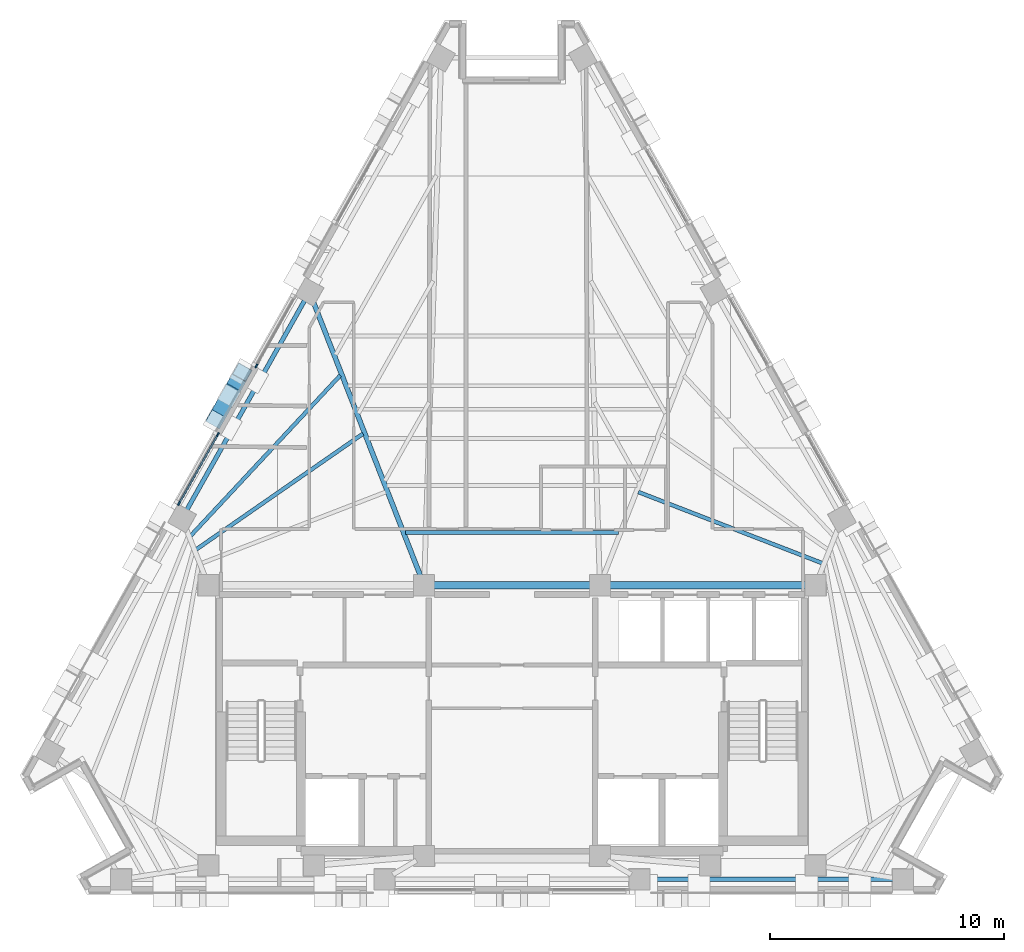
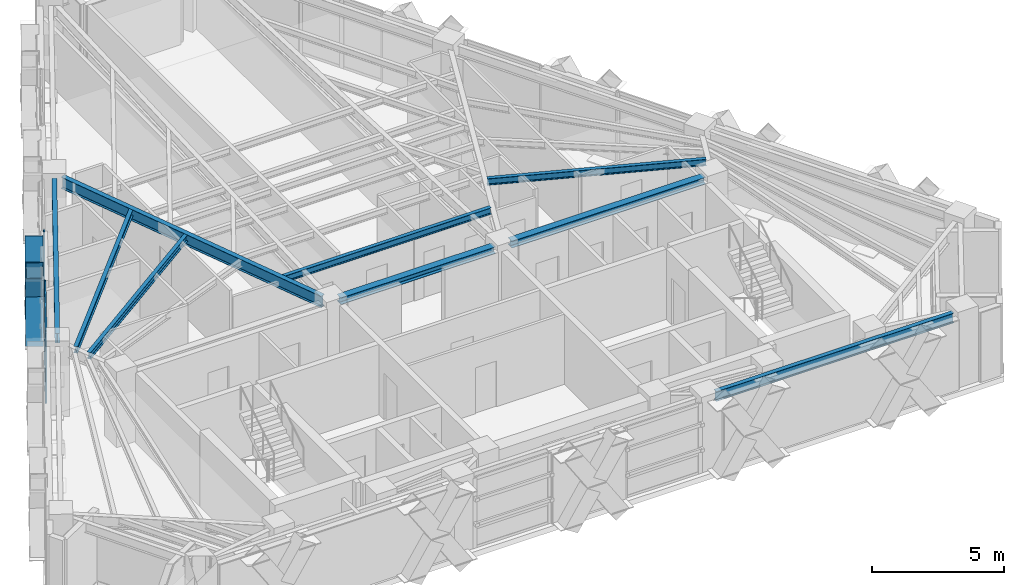
# One storey, part 3 of 12: 9 beams, 9 members, 2 elements without a shape of their own.
"""IFC4 building model written with IfcOpenShell, lengths in metres."""

from ifc_helpers import new_model, si_unit, direction, frame, origin, origin_2d, place, context, subcontext, project, spatial, rectangle, hollow_rectangle, i_section, extrude, material, material_profile, profile_set, type_object, element, aggregate, save


model = new_model("IFC4")

# Units and contexts
model_context = context("Model", 3, precision=1e-05, world=origin(), true_north=direction((0.0, 1.0)))
body_context = subcontext(model_context, "Body", "Model", "MODEL_VIEW")
ifc_project = project(units=[si_unit("LENGTHUNIT", "METRE"), si_unit("AREAUNIT", "SQUARE_METRE"), si_unit("VOLUMEUNIT", "CUBIC_METRE"), si_unit("PLANEANGLEUNIT", "RADIAN"), si_unit("MASSUNIT", "GRAM", prefix="KILO")], contexts=[model_context])

# Site, building, storey
site_placement = place(None, origin())
site = spatial("IfcSite", under=ifc_project, at=site_placement, CompositionType="ELEMENT")
building_placement = place(site_placement, origin())
building = spatial("IfcBuilding", under=site, at=building_placement, Name="Quenlor Broadcast Tower", CompositionType="ELEMENT")
storey_placement = place(building_placement, frame((0.0, 0.0, 204.39990234375)))
storey = spatial("IfcBuildingStorey", under=building, at=storey_placement, Name="L56", CompositionType="ELEMENT", Elevation=204.39990234375)

# Curtain wall, members
ifc_material_1 = material(Name="Architectural Terracotta and Low-E Glazing", Category="masonry")
curtain_wall_type = type_object("IfcCurtainWallType", Name="Unitised Terracotta Curtain Wall System Z4", PredefinedType="NOTDEFINED", material=ifc_material_1)
curtain_wall_1_placement = place(storey_placement, origin())
curtain_wall_1 = element("IfcCurtainWall", 1, at=curtain_wall_1_placement, inside=storey, type_object=curtain_wall_type, Name="L56 Curtain Wall CW4 (L56-NW-G1)", PredefinedType="NOTDEFINED")
ifc_material_2 = material(Name="Aluminium 6063-T6", Category="aluminium")
ifc_material_profile_1 = material_profile(ifc_material_2, rectangle(XDim=0.068115234375, YDim=0.179931640625, at=origin_2d()))
ifc_profile_set_1 = profile_set([ifc_material_profile_1], Name="Aluminium 6063-T6 MULL68x180")
member_type_1 = type_object("IfcMemberType", Name="CW4 Aluminium Mullion MULL_CW4", PredefinedType="MULLION", material=ifc_profile_set_1)
member_1_placement = place(storey_placement, frame((-14.20068359375, -1.3046875, 0.0), z_axis=(0.0, 0.0, 1.0), x_axis=(-0.871577871382, 0.490257089819, 0.0)))
member_1 = element("IfcMember", 2, at=member_1_placement, type_object=member_type_1, Name="CW4 mullion 1", PredefinedType="MULLION", context=body_context, shape_type="SweptSolid", body=[
    extrude(rectangle(XDim=0.068115234375, YDim=0.179931640625, at=origin_2d()), origin(), (0.0, 0.0, 1.0), 3.25),
])
member_2_placement = place(storey_placement, frame((-12.55126953125, 1.627685546875, 0.0), z_axis=(0.0, 0.0, 1.0), x_axis=(-0.871577871382, 0.490257089819, 0.0)))
member_2 = element("IfcMember", 3, at=member_2_placement, type_object=member_type_1, Name="CW4 mullion 2", PredefinedType="MULLION", context=body_context, shape_type="SweptSolid", body=[
    extrude(rectangle(XDim=0.068115234375, YDim=0.179931640625, at=origin_2d()), origin(), (0.0, 0.0, 1.0), 3.25),
])

# Curtain wall, member
curtain_wall_2_placement = place(storey_placement, origin())
curtain_wall_2 = element("IfcCurtainWall", 4, at=curtain_wall_2_placement, inside=storey, type_object=curtain_wall_type, Name="L56 Curtain Wall CW4 (L56-NW-G2)", PredefinedType="NOTDEFINED")
member_3_placement = place(storey_placement, frame((-10.906494140625, 4.5517578125, 0.0), z_axis=(0.0, 0.0, 1.0), x_axis=(-0.871577871382, 0.490257089819, 0.0)))
member_3 = element("IfcMember", 5, at=member_3_placement, type_object=member_type_1, Name="CW4 mullion 1", PredefinedType="MULLION", context=body_context, shape_type="SweptSolid", body=[
    extrude(rectangle(XDim=0.068115234375, YDim=0.179931640625, at=origin_2d()), origin(), (0.0, 0.0, 1.0), 3.25),
])
aggregate(curtain_wall_2, [member_3])

# Member
ifc_material_3 = material(Name="Aluminium 6063-T6", Category="aluminium")
ifc_material_profile_2 = material_profile(ifc_material_3, rectangle(XDim=0.068115234375, YDim=0.14990234375, at=origin_2d()))
ifc_profile_set_2 = profile_set([ifc_material_profile_2], Name="Aluminium 6063-T6 TRAN68x150")
member_type_2 = type_object("IfcMemberType", Name="CW4 Aluminium Transom TRAN_CW4", PredefinedType="USERDEFINED", material=ifc_profile_set_2)
member_4_placement = place(storey_placement, frame((-14.18408203125, -1.275146484375, 0.0341796875), z_axis=(0.490233108043, 0.871591360546, 0.0), x_axis=(-0.871591360546, 0.490233108043, 0.0)))
member_4 = element("IfcMember", 6, at=member_4_placement, type_object=member_type_2, Name="CW4 transom 1.1", ObjectType="TRANSOM", PredefinedType="USERDEFINED", context=body_context, shape_type="SweptSolid", body=[
    extrude(rectangle(XDim=0.068115234375, YDim=0.14990234375, at=origin_2d()), origin(), (0.0, 0.0, 1.0), 3.29638671875),
])

member_5_placement = place(storey_placement, frame((-14.18408203125, -1.275146484375, 0.9501953125), z_axis=(0.490233108043, 0.871591360546, 0.0), x_axis=(-0.871591360546, 0.490233108043, 0.0)))
member_5 = element("IfcMember", 7, at=member_5_placement, type_object=member_type_2, Name="CW4 transom 1.2", ObjectType="TRANSOM", PredefinedType="USERDEFINED", context=body_context, shape_type="SweptSolid", body=[
    extrude(rectangle(XDim=0.068115234375, YDim=0.14990234375, at=origin_2d()), origin(), (0.0, 0.0, 1.0), 3.29638671875),
])

member_6_placement = place(storey_placement, frame((-14.18408203125, -1.275146484375, 3.216064453125), z_axis=(0.490233108043, 0.871591360546, 0.0), x_axis=(-0.871591360546, 0.490233108043, 0.0)))
member_6 = element("IfcMember", 8, at=member_6_placement, type_object=member_type_2, Name="CW4 transom 1.3", ObjectType="TRANSOM", PredefinedType="USERDEFINED", context=body_context, shape_type="SweptSolid", body=[
    extrude(rectangle(XDim=0.068115234375, YDim=0.14990234375, at=origin_2d()), origin(), (0.0, 0.0, 1.0), 3.29638671875),
])

aggregate(curtain_wall_1, [member_1, member_2, member_4, member_5, member_6])

# Beams
ifc_material_4 = material(Name="Steel S355", Category="steel")
ifc_material_profile_3 = material_profile(ifc_material_4, i_section(OverallWidth=0.304931640625, OverallDepth=0.30810546875, WebThickness=0.010009765625, FlangeThickness=0.015380859375, FilletRadius=0.0166015625, at=origin_2d()))
ifc_profile_set_3 = profile_set([ifc_material_profile_3], Name="Steel S355 310UC96.8")
beam_type_1 = type_object("IfcBeamType", Name="Core Header Beam Steel S355 310UC96.8", PredefinedType="BEAM", material=ifc_profile_set_3)
beam_1_placement = place(storey_placement, frame((-3.389892578125, -4.800048828125, 3.09619140625), z_axis=(1.0, 0.0, 0.0), x_axis=(0.0, 1.0, 0.0)))
element("IfcBeam", 9, at=beam_1_placement, inside=storey, type_object=beam_type_1, Name="L56 Core Header Beam 2", PredefinedType="BEAM", context=body_context, shape_type="SweptSolid", body=[
    extrude(i_section(OverallWidth=0.304931640625, OverallDepth=0.30810546875, WebThickness=0.010009765625, FlangeThickness=0.015380859375, FilletRadius=0.0166015625, at=origin_2d()), origin(), (0.0, 0.0, 1.0), 6.77978515625),
])
ifc_material_5 = material(Name="Steel S355", Category="steel")
ifc_material_profile_4 = material_profile(ifc_material_5, i_section(OverallWidth=0.306884765625, OverallDepth=0.314697265625, WebThickness=0.011962890625, FlangeThickness=0.018798828125, FilletRadius=0.0166015625, at=origin_2d()))
ifc_profile_set_4 = profile_set([ifc_material_profile_4], Name="Steel S355 310UC118")
beam_type_2 = type_object("IfcBeamType", Name="Core Tie Beam Steel S355 310UC118", PredefinedType="BEAM", material=ifc_profile_set_4)
beam_2_placement = place(storey_placement, frame((4.110107421875, -4.800048828125, 3.0927734375), z_axis=(1.0, 0.0, 0.0), x_axis=(0.0, 1.0, 0.0)))
element("IfcBeam", 10, at=beam_2_placement, inside=storey, type_object=beam_type_2, Name="L56 Core Tie Beam 3", PredefinedType="BEAM", context=body_context, shape_type="SweptSolid", body=[
    extrude(i_section(OverallWidth=0.306884765625, OverallDepth=0.314697265625, WebThickness=0.011962890625, FlangeThickness=0.018798828125, FilletRadius=0.0166015625, at=origin_2d()), origin(), (0.0, 0.0, 1.0), 8.47998046875),
])

# Members
ifc_material_6 = material(Name="Steel S355", Category="steel")
ifc_material_profile_5 = material_profile(ifc_material_6, hollow_rectangle(XDim=0.679931640625, YDim=0.679931640625, WallThickness=0.02490234375, at=origin_2d()))
ifc_profile_set_5 = profile_set([ifc_material_profile_5], Name="Steel S355 RHS680x680x25")
member_type_3 = type_object("IfcMemberType", Name="Perimeter Diagonal Lattice Brace Z3-Z4 Steel S355 RHS680x25", PredefinedType="BRACE", material=ifc_profile_set_5)
member_7_placement = place(storey_placement, frame((-12.6376953125, 2.279541015625, -0.119873046875), z_axis=(0.269493020061, 0.479144022478, 0.835340959047), x_axis=(-0.871595351467, 0.490226012469, 0.0)))
element("IfcMember", 11, at=member_7_placement, inside=storey, type_object=member_type_3, Name="L56 Perimeter Diamond Lattice NW-C3XA", PredefinedType="BRACE", context=body_context, shape_type="SweptSolid", body=[
    extrude(hollow_rectangle(XDim=0.679931640625, YDim=0.679931640625, WallThickness=0.02490234375, at=origin_2d()), origin(), (0.0, 0.0, 1.0), 4.18994140625),
])
for number, where, z_axis, x_axis, name in (
    (12, (-11.508544921875, 4.287109375, -0.119873046875), (-0.269535527865, -0.479130165145, 0.835335192642), (0.871556252289, -0.490295522207, 0.0), "L56 Perimeter Diamond Lattice NW-C3XB1"),
    (13, (-12.140380859375, 3.16357421875, 1.8388671875), (-0.269535527865, -0.479130165145, 0.835335192642), (0.871556252289, -0.490295522207, 0.0), "L56 Perimeter Diamond Lattice NW-C3XB2"),
):
    element("IfcMember", number, at=place(storey_placement, frame(where, z_axis=z_axis, x_axis=x_axis)), inside=storey, type_object=member_type_3, Name=name, PredefinedType="BRACE", context=body_context, shape_type="SweptSolid", body=[
        extrude(hollow_rectangle(XDim=0.679931640625, YDim=0.679931640625, WallThickness=0.02490234375, at=origin_2d()), origin(), (0.0, 0.0, 1.0), 1.844970703125),
    ])

# Beams
ifc_material_7 = material(Name="Steel S355", Category="steel")
ifc_material_profile_6 = material_profile(ifc_material_7, i_section(OverallWidth=0.18994140625, OverallDepth=0.453857421875, WebThickness=0.008544921875, FlangeThickness=0.0126953125, FilletRadius=0.011474609375, at=origin_2d()))
ifc_profile_set_6 = profile_set([ifc_material_profile_6], Name="Steel S355 460UB67.1")
beam_type_3 = type_object("IfcBeamType", Name="Perimeter Spandrel Beam Z4 Steel S355 460UB67.1", PredefinedType="SPANDREL", material=ifc_profile_set_6)
beam_3_placement = place(storey_placement, frame((5.847900390625, -17.35009765625, 3.023193359375), z_axis=(1.0, 0.0, 0.0), x_axis=(0.0, 1.0, 0.0)))
element("IfcBeam", 14, at=beam_3_placement, inside=storey, type_object=beam_type_3, Name="L56 Spandrel Beam S3-S4", PredefinedType="SPANDREL", context=body_context, shape_type="SweptSolid", body=[
    extrude(i_section(OverallWidth=0.18994140625, OverallDepth=0.453857421875, WebThickness=0.008544921875, FlangeThickness=0.0126953125, FilletRadius=0.011474609375, at=origin_2d()), origin(), (0.0, 0.0, 1.0), 10.41796875),
])
beam_4_placement = place(storey_placement, frame((-8.840576171875, 7.357666015625, 3.023193359375), z_axis=(-0.490263496537, -0.871574267612, 0.0), x_axis=(0.871574267612, -0.490263496537, 0.0)))
element("IfcBeam", 15, at=beam_4_placement, inside=storey, type_object=beam_type_3, Name="L56 Spandrel Beam NW2-NW3", PredefinedType="SPANDREL", context=body_context, shape_type="SweptSolid", body=[
    extrude(i_section(OverallWidth=0.18994140625, OverallDepth=0.453857421875, WebThickness=0.008544921875, FlangeThickness=0.0126953125, FilletRadius=0.011474609375, at=origin_2d()), origin(), (0.0, 0.0, 1.0), 10.271728515625),
])
ifc_material_8 = material(Name="Steel S355", Category="steel")
ifc_material_profile_7 = material_profile(ifc_material_8, i_section(OverallWidth=0.166015625, OverallDepth=0.30712890625, WebThickness=0.006591796875, FlangeThickness=0.01171875, FilletRadius=0.011474609375, at=origin_2d()))
ifc_profile_set_7 = profile_set([ifc_material_profile_7], Name="Steel S355 310UB46.2")
beam_type_4 = type_object("IfcBeamType", Name="Tower Composite Joist Z4-Z5 Steel S355 310UB46.2", PredefinedType="JOIST", material=ifc_profile_set_7)
beam_5_placement = place(storey_placement, frame((-4.550048828125, -2.54736328125, 3.096435546875), z_axis=(1.0, 0.0, 0.0), x_axis=(0.0, 1.0, 0.0)))
element("IfcBeam", 16, at=beam_5_placement, inside=storey, type_object=beam_type_4, Name="L56 Secondary Composite Joist 1", PredefinedType="JOIST", context=body_context, shape_type="SweptSolid", body=[
    extrude(i_section(OverallWidth=0.166015625, OverallDepth=0.30712890625, WebThickness=0.006591796875, FlangeThickness=0.01171875, FilletRadius=0.011474609375, at=origin_2d()), origin(), (0.0, 0.0, 1.0), 9.10009765625),
])
beam_6_placement = place(storey_placement, frame((-13.470458984375, -3.273681640625, 3.096435546875), z_axis=(0.821539857981, 0.570151086773, 0.0), x_axis=(-0.570151086773, 0.821539857981, 0.0)))
element("IfcBeam", 17, at=beam_6_placement, inside=storey, type_object=beam_type_4, Name="L56 Secondary Composite Joist 8", PredefinedType="JOIST", context=body_context, shape_type="SweptSolid", body=[
    extrude(i_section(OverallWidth=0.166015625, OverallDepth=0.30712890625, WebThickness=0.006591796875, FlangeThickness=0.01171875, FilletRadius=0.011474609375, at=origin_2d()), origin(), (0.0, 0.0, 1.0), 8.656982421875),
])
beam_7_placement = place(storey_placement, frame((-13.707275390625, -2.691162109375, 3.096435546875), z_axis=(0.682034672805, 0.731319837754, 0.0), x_axis=(-0.731319837754, 0.682034672805, 0.0)))
element("IfcBeam", 18, at=beam_7_placement, inside=storey, type_object=beam_type_4, Name="L56 Secondary Composite Joist 9", PredefinedType="JOIST", context=body_context, shape_type="SweptSolid", body=[
    extrude(i_section(OverallWidth=0.166015625, OverallDepth=0.30712890625, WebThickness=0.006591796875, FlangeThickness=0.01171875, FilletRadius=0.011474609375, at=origin_2d()), origin(), (0.0, 0.0, 1.0), 9.357421875),
])
beam_8_placement = place(storey_placement, frame((13.236083984375, -3.85986328125, 3.096435546875), z_axis=(-0.932639299023, 0.360810113381, 0.0), x_axis=(-0.360810113381, -0.932639299023, 0.0)))
element("IfcBeam", 19, at=beam_8_placement, inside=storey, type_object=beam_type_4, Name="L56 Secondary Composite Joist 10", PredefinedType="JOIST", context=body_context, shape_type="SweptSolid", body=[
    extrude(i_section(OverallWidth=0.166015625, OverallDepth=0.30712890625, WebThickness=0.006591796875, FlangeThickness=0.01171875, FilletRadius=0.011474609375, at=origin_2d()), origin(), (0.0, 0.0, 1.0), 8.413330078125),
])
ifc_material_9 = material(Name="Steel S355", Category="steel")
ifc_material_profile_8 = material_profile(ifc_material_9, i_section(OverallWidth=0.208984375, OverallDepth=0.5283203125, WebThickness=0.009521484375, FlangeThickness=0.01318359375, FilletRadius=0.013916015625, at=origin_2d()))
ifc_profile_set_8 = profile_set([ifc_material_profile_8], Name="Steel S355 530UB82.0")
beam_type_5 = type_object("IfcBeamType", Name="Tower Primary Floor Beam Z4 Steel S355 530UB82.0", PredefinedType="BEAM", material=ifc_profile_set_8)
beam_9_placement = place(storey_placement, frame((-8.490478515625, 7.3330078125, 2.986083984375), z_axis=(0.363926160921, -0.931427801495, 0.0), x_axis=(0.931427801495, 0.363926160921, 0.0)))
element("IfcBeam", 20, at=beam_9_placement, inside=storey, type_object=beam_type_5, Name="L56 Primary Radial Beam NW2", PredefinedType="BEAM", context=body_context, shape_type="SweptSolid", body=[
    extrude(i_section(OverallWidth=0.208984375, OverallDepth=0.5283203125, WebThickness=0.009521484375, FlangeThickness=0.01318359375, FilletRadius=0.013916015625, at=origin_2d()), origin(), (0.0, 0.0, 1.0), 12.646240234375),
])

save(model, "model.ifc")
